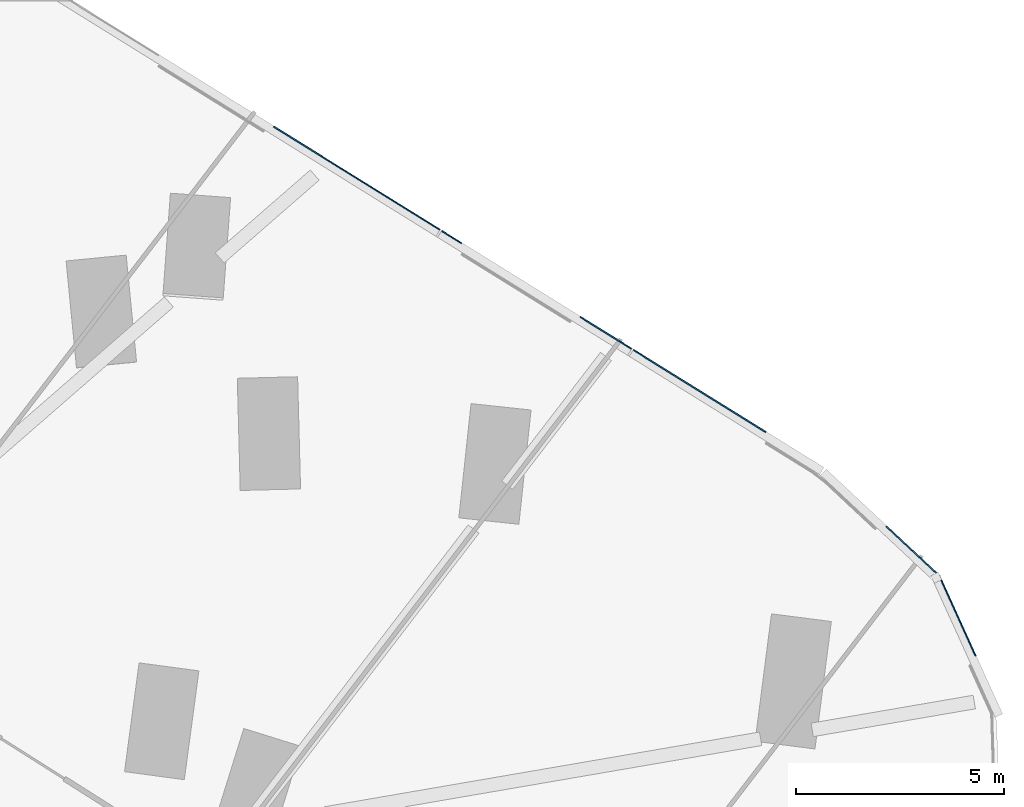
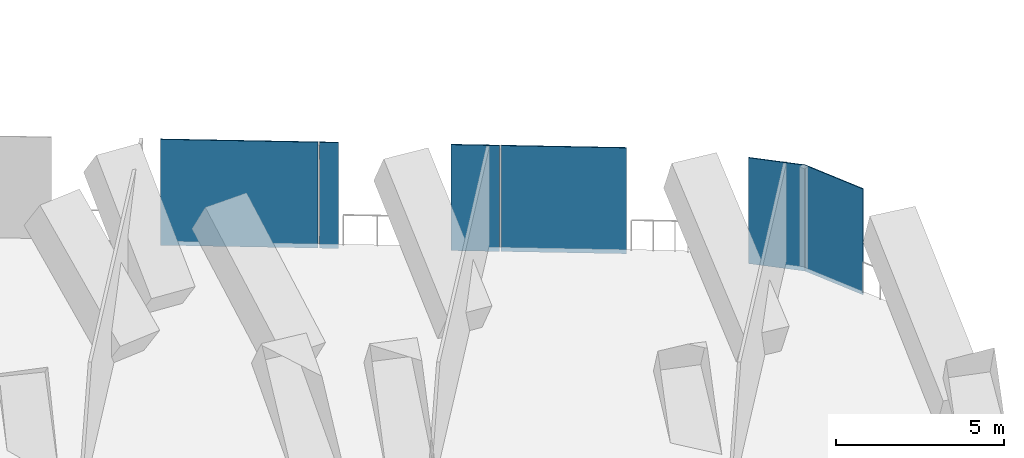
# One storey, part 20 of 32: 6 plates, 3 elements without a shape of their own.
"""IFC4 building model written with IfcOpenShell, lengths in metres."""

import ifcopenshell
import ifcopenshell.guid

model = None  # the IFC model being written
_history = None  # IfcOwnerHistory: only IFC2X3 demands one
_inside = {}  # id of a spatial element -> (the spatial element, [elements in it])
_under = {}  # id of a project, library or spatial element -> (it, [spatial elements below it])
_declared = {}  # id of a project -> (the project, [libraries it declares])
_typed = {}  # id of a type object -> (the type object, [elements of that type])
_made_of = {}  # id of a material, layer set ... -> (it, [elements and type objects made of it])


def new_model(schema):
    """Start an empty IFC model of exactly this schema.

    Asked for "IFC4X3", IfcOpenShell would pick the latest addendum, in which some entities
    have other attributes; the version numbers below select the first issue.
    IFC2X3 requires an IfcOwnerHistory on every rooted entity: one is made here for all.
    """
    global model, _history
    if schema == "IFC4X3":
        model = ifcopenshell.file(schema_version=(4, 3, 0, 0))
    else:
        model = ifcopenshell.file(schema=schema)
    _inside.clear()
    _under.clear()
    _declared.clear()
    _typed.clear()
    _made_of.clear()
    _history = None
    if model.schema == "IFC2X3":
        org = make("IfcOrganization", Name="unknown")
        user = make(
            "IfcPersonAndOrganization",
            ThePerson=make("IfcPerson", FamilyName="unknown"),
            TheOrganization=org,
        )
        app = make(
            "IfcApplication",
            ApplicationDeveloper=org,
            Version="unknown",
            ApplicationFullName="unknown",
            ApplicationIdentifier="unknown",
        )
        _history = make(
            "IfcOwnerHistory",
            OwningUser=user,
            OwningApplication=app,
            ChangeAction="ADDED",
            CreationDate=0,
        )
    return model


def make(cls, **values):
    """One entity of the class cls with the attributes given. An attribute that is None is left unset."""
    return model.create_entity(
        cls, **{name: value for name, value in values.items() if value is not None}
    )


def rooted(cls, **values):
    """An entity with a GlobalId (a new one), such as an element, a storey or a relation."""
    return make(cls, GlobalId=ifcopenshell.guid.new(), OwnerHistory=_history, **values)


def si_unit(unit_type, name, prefix=None):
    """IfcSIUnit, for example si_unit("LENGTHUNIT", "METRE", prefix="MILLI")."""
    return make("IfcSIUnit", UnitType=unit_type, Prefix=prefix, Name=name)


def assignment(units):
    """IfcUnitAssignment: the units of a project."""
    return None if units is None else make("IfcUnitAssignment", Units=units)


def point(xyz):
    """IfcCartesianPoint."""
    return None if xyz is None else make("IfcCartesianPoint", Coordinates=xyz)


def direction(xyz):
    """IfcDirection."""
    return None if xyz is None else make("IfcDirection", DirectionRatios=xyz)


def frame(location, z_axis=None, x_axis=None):
    """IfcAxis2Placement3D, a coordinate frame: its origin and axes. An axis left out is left unset."""
    return make(
        "IfcAxis2Placement3D",
        Location=point(location),
        Axis=direction(z_axis),
        RefDirection=direction(x_axis),
    )


def frame_2d(location, x_axis=None):
    """IfcAxis2Placement2D, a coordinate frame in the plane: its origin and x axis."""
    return make(
        "IfcAxis2Placement2D", Location=point(location), RefDirection=direction(x_axis)
    )


def origin():
    """The frame at (0, 0, 0) with its axes left unset."""
    return frame((0.0, 0.0, 0.0))


def origin_2d():
    """The frame at (0, 0) in the plane with its x axis left unset."""
    return frame_2d((0.0, 0.0))


def place(relative_to, where):
    """IfcLocalPlacement: puts the frame where relative to a parent placement (None: the world)."""
    return make(
        "IfcLocalPlacement", PlacementRelTo=relative_to, RelativePlacement=where
    )


def context(
    kind, dimensions, precision=None, world=None, true_north=None, identifier=None
):
    """IfcGeometricRepresentationContext, for example the 3D "Model" context."""
    return make(
        "IfcGeometricRepresentationContext",
        ContextIdentifier=identifier,
        ContextType=kind,
        CoordinateSpaceDimension=dimensions,
        Precision=precision,
        WorldCoordinateSystem=world,
        TrueNorth=true_north,
    )


def subcontext(parent, identifier, kind, view, scale=None):
    """IfcGeometricRepresentationSubContext, for example "Body" below "Model"."""
    return make(
        "IfcGeometricRepresentationSubContext",
        ContextIdentifier=identifier,
        ContextType=kind,
        ParentContext=parent,
        TargetScale=scale,
        TargetView=view,
    )


def project(units=None, contexts=None):
    """IfcProject with its units and contexts."""
    return rooted(
        "IfcProject",
        Name="project",
        RepresentationContexts=contexts,
        UnitsInContext=assignment(units),
    )


def spatial(cls, under=None, at=None, **own):
    """A site, building, storey or space (cls), placed at a placement, below another one or the project."""
    s = rooted(cls, ObjectPlacement=at, **own)
    if under is not None:
        _under.setdefault(under.id(), (under, []))[1].append(s)
    return s


def profile(cls, at=None, kind="AREA", **sizes):
    """A parametric profile (cls). Its sizes go by their IFC names, for example OverallWidth=200.0."""
    return make(cls, ProfileType=kind, Position=at, **sizes)


def rectangle(**sizes):
    """IfcRectangleProfileDef."""
    return profile("IfcRectangleProfileDef", **sizes)


def extrude(swept, where, along, depth):
    """IfcExtrudedAreaSolid: the profile swept, set in the frame where, extruded along a direction by depth."""
    return make(
        "IfcExtrudedAreaSolid",
        SweptArea=swept,
        Position=where,
        ExtrudedDirection=direction(along),
        Depth=depth,
    )


def shape(context_of_items, identifier, shape_type, items):
    """IfcShapeRepresentation: the items that make up one representation, for example the "Body"."""
    return make(
        "IfcShapeRepresentation",
        ContextOfItems=context_of_items,
        RepresentationIdentifier=identifier,
        RepresentationType=shape_type,
        Items=items,
    )


def material(Name=None, Category=None):
    """IfcMaterial."""
    return make("IfcMaterial", Name=Name, Category=Category)


def layer(
    of_material, thickness, ventilated=None, Name=None, Category=None, Priority=None
):
    """IfcMaterialLayer: one layer of a wall or slab, of a material (None: an air gap)."""
    return make(
        "IfcMaterialLayer",
        Material=of_material,
        LayerThickness=thickness,
        IsVentilated=ventilated,
        Name=Name,
        Category=Category,
        Priority=Priority,
    )


def layer_set(layers, Name=None):
    """IfcMaterialLayerSet."""
    return make("IfcMaterialLayerSet", MaterialLayers=layers, LayerSetName=Name)


def made_of(thing, what):
    """Note that an element or type object is made of a material, layer set ...; save() writes the relation."""
    if what is not None:
        _made_of.setdefault(what.id(), (what, []))[1].append(thing)
    return thing


def type_object(cls, material=None, **own):
    """A type object (cls), such as IfcWallType, which elements share."""
    return made_of(rooted(cls, **own), material)


def element(
    cls,
    number,
    at=None,
    inside=None,
    cuts=None,
    type_object=None,
    material=None,
    context=None,
    identifier="Body",
    shape_type=None,
    held_by="IfcProductDefinitionShape",
    body=None,
    shapes=None,
    **own,
):
    """One element of the class cls, such as IfcWall. Its Tag is "e" and its number.

    at: its placement. inside: the storey or other place that contains it. cuts: it is an
    opening in that element (IfcRelVoidsElement). A single representation is given by context,
    identifier, shape_type and body (its items); several are given by shapes. held_by: the class
    of the entity that holds the representations. save() writes the other relations.
    """
    e = rooted(cls, Tag="e%d" % number, ObjectPlacement=at, **own)
    if body is not None:
        shapes = [shape(context, identifier, shape_type, body)]
    if shapes is not None:
        e.Representation = make(held_by, Representations=shapes)
    if inside is not None:
        _inside.setdefault(inside.id(), (inside, []))[1].append(e)
    if cuts is not None:
        rooted(
            "IfcRelVoidsElement", RelatingBuildingElement=cuts, RelatedOpeningElement=e
        )
    if type_object is not None:
        _typed.setdefault(type_object.id(), (type_object, []))[1].append(e)
    return made_of(e, material)


def aggregate(whole, parts):
    """IfcRelAggregates: a whole, such as a stair, and the parts it consists of."""
    return rooted("IfcRelAggregates", RelatingObject=whole, RelatedObjects=parts)


def save(model, path):
    """Write the relations noted so far, then the file.

    IfcRelAggregates (storeys below a building ...), IfcRelContainedInSpatialStructure (elements
    in a storey), IfcRelDefinesByType, IfcRelAssociatesMaterial and IfcRelDeclares: one each for
    every whole, place, type object, material and project.
    """
    for whole, parts in _under.values():
        aggregate(whole, parts)
    for where, things in _inside.values():
        rooted(
            "IfcRelContainedInSpatialStructure",
            RelatedElements=things,
            RelatingStructure=where,
        )
    for kind, things in _typed.values():
        rooted("IfcRelDefinesByType", RelatedObjects=things, RelatingType=kind)
    for what, things in _made_of.values():
        rooted("IfcRelAssociatesMaterial", RelatedObjects=things, RelatingMaterial=what)
    for by, libraries in _declared.values():
        rooted("IfcRelDeclares", RelatingContext=by, RelatedDefinitions=libraries)
    model.write(path)


model = new_model("IFC4")

# Units and contexts
model_context = context("Model", 3, precision=1e-05, world=origin(), true_north=direction((0.0, 1.0)))
body_context = subcontext(model_context, "Body", "Model", "MODEL_VIEW")
ifc_project = project(units=[si_unit("LENGTHUNIT", "METRE"), si_unit("AREAUNIT", "SQUARE_METRE"), si_unit("VOLUMEUNIT", "CUBIC_METRE"), si_unit("PLANEANGLEUNIT", "RADIAN"), si_unit("MASSUNIT", "GRAM", prefix="KILO")], contexts=[model_context])

# Site, building, storey
site_placement = place(None, origin())
site = spatial("IfcSite", under=ifc_project, at=site_placement, CompositionType="ELEMENT")
building_placement = place(site_placement, origin())
building = spatial("IfcBuilding", under=site, at=building_placement, Name="Orlundy Tower", CompositionType="ELEMENT")
storey_placement = place(building_placement, frame((0.0, 0.0, 33.300048828125)))
storey = spatial("IfcBuildingStorey", under=building, at=storey_placement, Name="L06", CompositionType="ELEMENT", Elevation=33.300048828125)

# Curtain wall, plates
ifc_material_1 = material(Name="Aluminium bronze anodised", Category="aluminium")
curtain_wall_type = type_object("IfcCurtainWallType", Name="CW5 wall", PredefinedType="NOTDEFINED", material=ifc_material_1)
curtain_wall_1_placement = place(storey_placement, origin())
curtain_wall_1 = element("IfcCurtainWall", 1, at=curtain_wall_1_placement, inside=storey, type_object=curtain_wall_type, Name="CW5 run 015", PredefinedType="NOTDEFINED")
ifc_material_2 = material(Name="Tinted glass", Category="glass")
ifc_layer_1 = layer(ifc_material_2, 0.031982421875)
ifc_layer_set_1 = layer_set([ifc_layer_1], Name="CW5 glass panel 32")
plate_type_1 = type_object("IfcPlateType", Name="CW5 glass panel 32", PredefinedType="CURTAIN_PANEL", material=ifc_layer_set_1)
plate_1_placement = place(storey_placement, frame((44.17333984375, -3.6669921875, -0.2802734375), z_axis=(0.0, 0.0, 1.0), x_axis=(0.849578027619, -0.527462960773, 0.0)))
plate_1 = element("IfcPlate", 2, at=plate_1_placement, type_object=plate_type_1, Name="CW5 panel", PredefinedType="CURTAIN_PANEL", context=body_context, shape_type="SweptSolid", body=[
    extrude(rectangle(XDim=0.560546875, YDim=0.031982421875, at=origin_2d()), origin(), (0.0, 0.0, 1.0), 3.860107421875),
])
plate_2_placement = place(storey_placement, frame((47.8828125, -5.969970703125, -0.2802734375), z_axis=(0.0, 0.0, 1.0), x_axis=(0.849578027619, -0.527462960773, 0.0)))
plate_2 = element("IfcPlate", 3, at=plate_2_placement, type_object=plate_type_1, Name="CW5 panel", PredefinedType="CURTAIN_PANEL", context=body_context, shape_type="SweptSolid", body=[
    extrude(rectangle(XDim=1.448974609375, YDim=0.031982421875, at=origin_2d()), origin(), (0.0, 0.0, 1.0), 3.860107421875),
])
plate_3_placement = place(storey_placement, frame((50.130126953125, -7.365234375, -0.2802734375), z_axis=(0.0, 0.0, 1.0), x_axis=(0.849578027619, -0.527462960773, 0.0)))
plate_3 = element("IfcPlate", 4, at=plate_3_placement, type_object=plate_type_1, Name="CW5 panel", PredefinedType="CURTAIN_PANEL", context=body_context, shape_type="SweptSolid", body=[
    extrude(rectangle(XDim=3.741943359375, YDim=0.031982421875, at=origin_2d()), origin(), (0.0, 0.0, 1.0), 3.860107421875),
])

# Curtain wall, plate
curtain_wall_2_placement = place(storey_placement, origin())
curtain_wall_2 = element("IfcCurtainWall", 5, at=curtain_wall_2_placement, inside=storey, type_object=curtain_wall_type, Name="CW5 run 017", PredefinedType="NOTDEFINED")
plate_4_placement = place(storey_placement, frame((56.326416015625, -12.7685546875, -0.2802734375), z_axis=(0.0, 0.0, 1.0), x_axis=(0.413335357608, -0.91057887201, 0.0)))
plate_4 = element("IfcPlate", 6, at=plate_4_placement, type_object=plate_type_1, Name="CW5 panel", PredefinedType="CURTAIN_PANEL", context=body_context, shape_type="SweptSolid", body=[
    extrude(rectangle(XDim=2.11962890625, YDim=0.031982421875, at=origin_2d()), origin(), (0.0, 0.0, 1.0), 3.860107421875),
])
aggregate(curtain_wall_2, [plate_4])

# Plate
ifc_material_3 = material(Name="Tinted glass", Category="glass")
ifc_layer_2 = layer(ifc_material_3, 0.031982421875)
ifc_layer_set_2 = layer_set([ifc_layer_2], Name="CW5 vent panel 32")
plate_type_2 = type_object("IfcPlateType", Name="CW5 vent panel 32", PredefinedType="CURTAIN_PANEL", material=ifc_layer_set_2)
plate_5_placement = place(storey_placement, frame((41.896240234375, -2.253173828125, -0.2802734375), z_axis=(0.0, 0.0, 1.0), x_axis=(0.849578027619, -0.527462960773, 0.0)))
plate_5 = element("IfcPlate", 7, at=plate_5_placement, type_object=plate_type_2, Name="CW5 panel", PredefinedType="CURTAIN_PANEL", context=body_context, shape_type="SweptSolid", body=[
    extrude(rectangle(XDim=4.69970703125, YDim=0.031982421875, at=origin_2d()), origin(), (0.0, 0.0, 1.0), 3.860107421875),
])

aggregate(curtain_wall_1, [plate_5, plate_1, plate_2, plate_3])

# Curtain wall, plate
curtain_wall_3_placement = place(storey_placement, origin())
curtain_wall_3 = element("IfcCurtainWall", 8, at=curtain_wall_3_placement, inside=storey, type_object=curtain_wall_type, Name="CW5 run 016", PredefinedType="NOTDEFINED")
plate_6_placement = place(storey_placement, frame((55.253662109375, -11.2099609375, -0.2802734375), z_axis=(0.0, 0.0, 1.0), x_axis=(0.730445026852, -0.682971494828, 0.0)))
plate_6 = element("IfcPlate", 9, at=plate_6_placement, type_object=plate_type_2, Name="CW5 panel", PredefinedType="CURTAIN_PANEL", context=body_context, shape_type="SweptSolid", body=[
    extrude(rectangle(XDim=1.738037109375, YDim=0.031982421875, at=origin_2d()), origin(), (0.0, 0.0, 1.0), 3.860107421875),
])
aggregate(curtain_wall_3, [plate_6])

save(model, "model.ifc")
